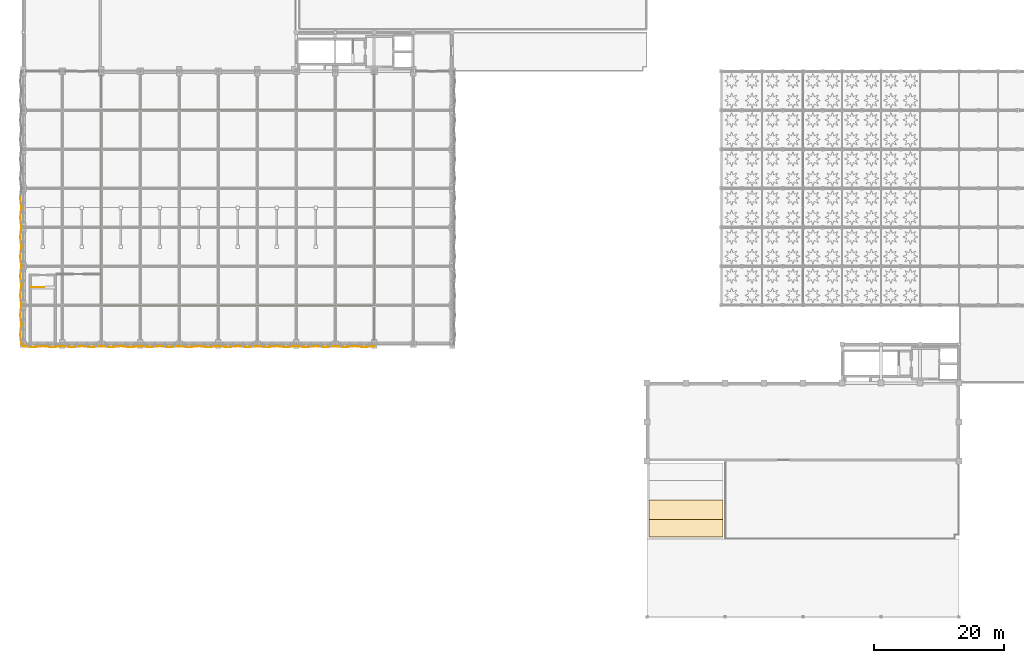
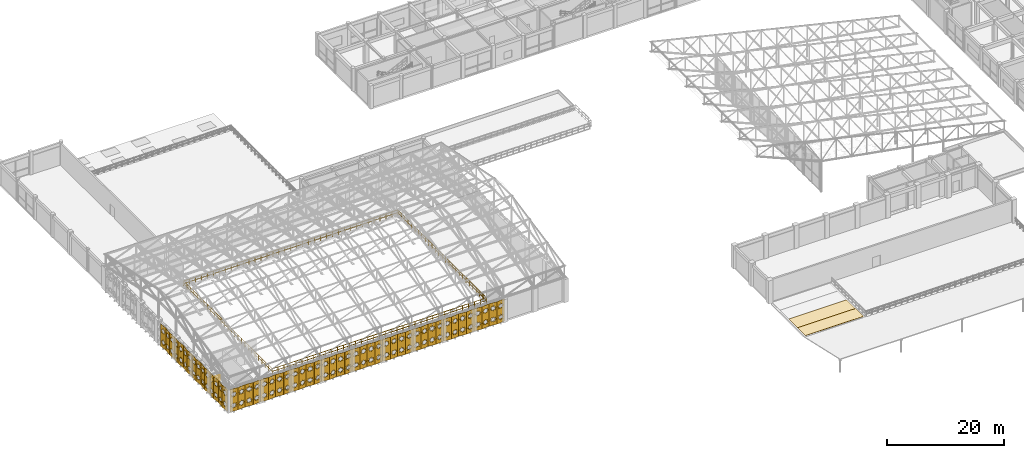
# One storey, part 106 of 112: 53 coverings, 2 railings.
"""IFC4 building model written with IfcOpenShell, lengths in metres."""

import ifcopenshell
import ifcopenshell.guid

model = None  # the IFC model being written
_history = None  # IfcOwnerHistory: only IFC2X3 demands one
_inside = {}  # id of a spatial element -> (the spatial element, [elements in it])
_under = {}  # id of a project, library or spatial element -> (it, [spatial elements below it])
_declared = {}  # id of a project -> (the project, [libraries it declares])
_typed = {}  # id of a type object -> (the type object, [elements of that type])
_made_of = {}  # id of a material, layer set ... -> (it, [elements and type objects made of it])


def new_model(schema):
    """Start an empty IFC model of exactly this schema.

    Asked for "IFC4X3", IfcOpenShell would pick the latest addendum, in which some entities
    have other attributes; the version numbers below select the first issue.
    IFC2X3 requires an IfcOwnerHistory on every rooted entity: one is made here for all.
    """
    global model, _history
    if schema == "IFC4X3":
        model = ifcopenshell.file(schema_version=(4, 3, 0, 0))
    else:
        model = ifcopenshell.file(schema=schema)
    _inside.clear()
    _under.clear()
    _declared.clear()
    _typed.clear()
    _made_of.clear()
    _history = None
    if model.schema == "IFC2X3":
        org = make("IfcOrganization", Name="unknown")
        user = make(
            "IfcPersonAndOrganization",
            ThePerson=make("IfcPerson", FamilyName="unknown"),
            TheOrganization=org,
        )
        app = make(
            "IfcApplication",
            ApplicationDeveloper=org,
            Version="unknown",
            ApplicationFullName="unknown",
            ApplicationIdentifier="unknown",
        )
        _history = make(
            "IfcOwnerHistory",
            OwningUser=user,
            OwningApplication=app,
            ChangeAction="ADDED",
            CreationDate=0,
        )
    return model


def make(cls, **values):
    """One entity of the class cls with the attributes given. An attribute that is None is left unset."""
    return model.create_entity(
        cls, **{name: value for name, value in values.items() if value is not None}
    )


def rooted(cls, **values):
    """An entity with a GlobalId (a new one), such as an element, a storey or a relation."""
    return make(cls, GlobalId=ifcopenshell.guid.new(), OwnerHistory=_history, **values)


def si_unit(unit_type, name, prefix=None):
    """IfcSIUnit, for example si_unit("LENGTHUNIT", "METRE", prefix="MILLI")."""
    return make("IfcSIUnit", UnitType=unit_type, Prefix=prefix, Name=name)


def assignment(units):
    """IfcUnitAssignment: the units of a project."""
    return None if units is None else make("IfcUnitAssignment", Units=units)


def point(xyz):
    """IfcCartesianPoint."""
    return None if xyz is None else make("IfcCartesianPoint", Coordinates=xyz)


def direction(xyz):
    """IfcDirection."""
    return None if xyz is None else make("IfcDirection", DirectionRatios=xyz)


def frame(location, z_axis=None, x_axis=None):
    """IfcAxis2Placement3D, a coordinate frame: its origin and axes. An axis left out is left unset."""
    return make(
        "IfcAxis2Placement3D",
        Location=point(location),
        Axis=direction(z_axis),
        RefDirection=direction(x_axis),
    )


def frame_2d(location, x_axis=None):
    """IfcAxis2Placement2D, a coordinate frame in the plane: its origin and x axis."""
    return make(
        "IfcAxis2Placement2D", Location=point(location), RefDirection=direction(x_axis)
    )


def origin():
    """The frame at (0, 0, 0) with its axes left unset."""
    return frame((0.0, 0.0, 0.0))


def origin_2d():
    """The frame at (0, 0) in the plane with its x axis left unset."""
    return frame_2d((0.0, 0.0))


def place(relative_to, where):
    """IfcLocalPlacement: puts the frame where relative to a parent placement (None: the world)."""
    return make(
        "IfcLocalPlacement", PlacementRelTo=relative_to, RelativePlacement=where
    )


def context(
    kind, dimensions, precision=None, world=None, true_north=None, identifier=None
):
    """IfcGeometricRepresentationContext, for example the 3D "Model" context."""
    return make(
        "IfcGeometricRepresentationContext",
        ContextIdentifier=identifier,
        ContextType=kind,
        CoordinateSpaceDimension=dimensions,
        Precision=precision,
        WorldCoordinateSystem=world,
        TrueNorth=true_north,
    )


def subcontext(parent, identifier, kind, view, scale=None):
    """IfcGeometricRepresentationSubContext, for example "Body" below "Model"."""
    return make(
        "IfcGeometricRepresentationSubContext",
        ContextIdentifier=identifier,
        ContextType=kind,
        ParentContext=parent,
        TargetScale=scale,
        TargetView=view,
    )


def project(units=None, contexts=None):
    """IfcProject with its units and contexts."""
    return rooted(
        "IfcProject",
        Name="project",
        RepresentationContexts=contexts,
        UnitsInContext=assignment(units),
    )


def spatial(cls, under=None, at=None, **own):
    """A site, building, storey or space (cls), placed at a placement, below another one or the project."""
    s = rooted(cls, ObjectPlacement=at, **own)
    if under is not None:
        _under.setdefault(under.id(), (under, []))[1].append(s)
    return s


def polyline(points):
    """IfcPolyline through the points."""
    return make("IfcPolyline", Points=[point(p) for p in points])


def profile(cls, at=None, kind="AREA", **sizes):
    """A parametric profile (cls). Its sizes go by their IFC names, for example OverallWidth=200.0."""
    return make(cls, ProfileType=kind, Position=at, **sizes)


def circle(**sizes):
    """IfcCircleProfileDef."""
    return profile("IfcCircleProfileDef", **sizes)


def outline(outer, holes=None, kind="AREA"):
    """IfcArbitraryClosedProfileDef: a profile drawn as a closed curve; with holes, ...WithVoids."""
    if holes is None:
        return make("IfcArbitraryClosedProfileDef", ProfileType=kind, OuterCurve=outer)
    return make(
        "IfcArbitraryProfileDefWithVoids",
        ProfileType=kind,
        OuterCurve=outer,
        InnerCurves=holes,
    )


def extrude(swept, where, along, depth):
    """IfcExtrudedAreaSolid: the profile swept, set in the frame where, extruded along a direction by depth."""
    return make(
        "IfcExtrudedAreaSolid",
        SweptArea=swept,
        Position=where,
        ExtrudedDirection=direction(along),
        Depth=depth,
    )


def shape(context_of_items, identifier, shape_type, items):
    """IfcShapeRepresentation: the items that make up one representation, for example the "Body"."""
    return make(
        "IfcShapeRepresentation",
        ContextOfItems=context_of_items,
        RepresentationIdentifier=identifier,
        RepresentationType=shape_type,
        Items=items,
    )


def material(Name=None, Category=None):
    """IfcMaterial."""
    return make("IfcMaterial", Name=Name, Category=Category)


def layer(
    of_material, thickness, ventilated=None, Name=None, Category=None, Priority=None
):
    """IfcMaterialLayer: one layer of a wall or slab, of a material (None: an air gap)."""
    return make(
        "IfcMaterialLayer",
        Material=of_material,
        LayerThickness=thickness,
        IsVentilated=ventilated,
        Name=Name,
        Category=Category,
        Priority=Priority,
    )


def layer_set(layers, Name=None):
    """IfcMaterialLayerSet."""
    return make("IfcMaterialLayerSet", MaterialLayers=layers, LayerSetName=Name)


def made_of(thing, what):
    """Note that an element or type object is made of a material, layer set ...; save() writes the relation."""
    if what is not None:
        _made_of.setdefault(what.id(), (what, []))[1].append(thing)
    return thing


def type_object(cls, material=None, **own):
    """A type object (cls), such as IfcWallType, which elements share."""
    return made_of(rooted(cls, **own), material)


def element(
    cls,
    number,
    at=None,
    inside=None,
    cuts=None,
    type_object=None,
    material=None,
    context=None,
    identifier="Body",
    shape_type=None,
    held_by="IfcProductDefinitionShape",
    body=None,
    shapes=None,
    **own,
):
    """One element of the class cls, such as IfcWall. Its Tag is "e" and its number.

    at: its placement. inside: the storey or other place that contains it. cuts: it is an
    opening in that element (IfcRelVoidsElement). A single representation is given by context,
    identifier, shape_type and body (its items); several are given by shapes. held_by: the class
    of the entity that holds the representations. save() writes the other relations.
    """
    e = rooted(cls, Tag="e%d" % number, ObjectPlacement=at, **own)
    if body is not None:
        shapes = [shape(context, identifier, shape_type, body)]
    if shapes is not None:
        e.Representation = make(held_by, Representations=shapes)
    if inside is not None:
        _inside.setdefault(inside.id(), (inside, []))[1].append(e)
    if cuts is not None:
        rooted(
            "IfcRelVoidsElement", RelatingBuildingElement=cuts, RelatedOpeningElement=e
        )
    if type_object is not None:
        _typed.setdefault(type_object.id(), (type_object, []))[1].append(e)
    return made_of(e, material)


def aggregate(whole, parts):
    """IfcRelAggregates: a whole, such as a stair, and the parts it consists of."""
    return rooted("IfcRelAggregates", RelatingObject=whole, RelatedObjects=parts)


def save(model, path):
    """Write the relations noted so far, then the file.

    IfcRelAggregates (storeys below a building ...), IfcRelContainedInSpatialStructure (elements
    in a storey), IfcRelDefinesByType, IfcRelAssociatesMaterial and IfcRelDeclares: one each for
    every whole, place, type object, material and project.
    """
    for whole, parts in _under.values():
        aggregate(whole, parts)
    for where, things in _inside.values():
        rooted(
            "IfcRelContainedInSpatialStructure",
            RelatedElements=things,
            RelatingStructure=where,
        )
    for kind, things in _typed.values():
        rooted("IfcRelDefinesByType", RelatedObjects=things, RelatingType=kind)
    for what, things in _made_of.values():
        rooted("IfcRelAssociatesMaterial", RelatedObjects=things, RelatingMaterial=what)
    for by, libraries in _declared.values():
        rooted("IfcRelDeclares", RelatingContext=by, RelatedDefinitions=libraries)
    model.write(path)


model = new_model("IFC4")

# Units and contexts
model_context = context("Model", 3, precision=1e-05, world=origin(), true_north=direction((0.0, 1.0)))
body_context = subcontext(model_context, "Body", "Model", "MODEL_VIEW")
ifc_project = project(units=[si_unit("LENGTHUNIT", "METRE"), si_unit("AREAUNIT", "SQUARE_METRE"), si_unit("VOLUMEUNIT", "CUBIC_METRE"), si_unit("PLANEANGLEUNIT", "RADIAN"), si_unit("MASSUNIT", "GRAM", prefix="KILO"), si_unit("THERMODYNAMICTEMPERATUREUNIT", "KELVIN"), si_unit("POWERUNIT", "WATT")], contexts=[model_context])

# Site, building, storey
site_placement = place(None, origin())
site = spatial("IfcSite", under=ifc_project, at=site_placement, CompositionType="ELEMENT")
building_placement = place(site_placement, origin())
building = spatial("IfcBuilding", under=site, at=building_placement, Name="Phaisarnlok Congress Hotel", CompositionType="ELEMENT")
storey_placement = place(building_placement, frame((0.0, 0.0, 19.800048828125)))
storey = spatial("IfcBuildingStorey", under=building, at=storey_placement, Name="L04", CompositionType="ELEMENT", Elevation=19.800048828125)

# Coverings
ifc_material_1 = material(Name="TPO Waterproofing Membrane & Rigid PIR Insulation", Category="other")
ifc_layer_1 = layer(ifc_material_1, 0.050048828125, Name="TPO Waterproofing Membrane & Rigid PIR Insulation")
ifc_layer_set_1 = layer_set([ifc_layer_1], Name="TPO Waterproofing Membrane & Rigid PIR Insulation")
covering_type_1 = type_object("IfcCoveringType", Name="COV-ROOF-MEMB", PredefinedType="ROOFING", material=ifc_layer_set_1)
covering_1_placement = place(storey_placement, origin())
element("IfcCovering", 1, at=covering_1_placement, inside=storey, type_object=covering_type_1, Name="Ballroom west roof waterproofing membrane RF-01", PredefinedType="ROOFING", context=body_context, shape_type="SweptSolid", body=[
    extrude(outline(polyline([(96.300048828125, 12.300048828125), (107.699951171875, 12.300048828125), (107.699951171875, 15.0), (96.300048828125, 15.0), (96.300048828125, 12.300048828125)])), origin(), (0.0, 0.0, 1.0), 0.050048828125),
])
covering_2_placement = place(storey_placement, origin())
element("IfcCovering", 2, at=covering_2_placement, inside=storey, type_object=covering_type_1, Name="Ballroom west roof waterproofing membrane RF-01", PredefinedType="ROOFING", context=body_context, shape_type="SweptSolid", body=[
    extrude(outline(polyline([(96.300048828125, 15.0), (107.699951171875, 15.0), (107.699951171875, 18.0), (96.300048828125, 18.0), (96.300048828125, 15.0)])), origin(), (0.0, 0.0, 1.0), 0.050048828125),
])
ifc_material_2 = material(Name="PVDF White Perforated Aluminium Alloy 5052", Category="aluminium")
ifc_layer_2 = layer(ifc_material_2, 0.0400390625, Name="PVDF White Perforated Aluminium Alloy 5052")
ifc_layer_set_2 = layer_set([ifc_layer_2], Name="PVDF White Perforated Aluminium Alloy 5052")
covering_type_2 = type_object("IfcCoveringType", Name="COV-STAR-FOLD", PredefinedType="CLADDING", material=ifc_layer_set_2)
for number, where, z_axis, x_axis, name in (
    (3, (-0.300048828125, 42.0, 0.06005859375), (0.994517863207, 0.104566819602, 0.0), (-0.104566819602, 0.994517863207, 0.0), "Folded star-perforated hall screen SS-02 (V1W L04)"),
    (4, (-0.457763671875, 43.5, 0.06005859375), (0.994517863207, -0.104566819602, 0.0), (0.104566819602, 0.994517863207, 0.0), "Folded star-perforated hall screen SS-02 (V1W L04)"),
    (5, (-0.300048828125, 45.0, 0.06005859375), (0.994517863207, 0.104566819602, 0.0), (-0.104566819602, 0.994517863207, 0.0), "Folded star-perforated hall screen SS-02 (V1W L04)"),
    (6, (-0.457763671875, 46.5, 0.06005859375), (0.994517863207, -0.104566819602, 0.0), (0.104566819602, 0.994517863207, 0.0), "Folded star-perforated hall screen SS-02 (V1W L04)"),
    (7, (-0.300048828125, 48.0, 0.06005859375), (0.994517863207, 0.104566819602, 0.0), (-0.104566819602, 0.994517863207, 0.0), "Folded star-perforated hall screen SS-02 (V1W L04)"),
    (8, (-0.457763671875, 49.5, 0.06005859375), (0.994517863207, -0.104566819602, 0.0), (0.104566819602, 0.994517863207, 0.0), "Folded star-perforated hall screen SS-02 (V1W L04)"),
    (9, (-0.300048828125, 51.0, 0.06005859375), (0.994517863207, 0.104566819602, 0.0), (-0.104566819602, 0.994517863207, 0.0), "Folded star-perforated hall screen SS-02 (V1W L04)"),
    (10, (-0.457763671875, 52.5, 0.06005859375), (0.994517863207, -0.104566819602, 0.0), (0.104566819602, 0.994517863207, 0.0), "Folded star-perforated hall screen SS-02 (V1W L04)"),
    (11, (-0.300048828125, 54.0, 0.06005859375), (0.994517863207, 0.104566819602, 0.0), (-0.104566819602, 0.994517863207, 0.0), "Folded star-perforated hall screen SS-02 (V1W L04)"),
    (12, (-0.457763671875, 55.5, 0.06005859375), (0.994517863207, -0.104566819602, 0.0), (0.104566819602, 0.994517863207, 0.0), "Folded star-perforated hall screen SS-02 (V1W L04)"),
    (13, (-0.300048828125, 57.0, 0.06005859375), (0.994517863207, 0.104566819602, 0.0), (-0.104566819602, 0.994517863207, 0.0), "Folded star-perforated hall screen SS-02 (V1W L04)"),
    (14, (-0.457763671875, 58.5, 0.06005859375), (0.994517863207, -0.104566819602, 0.0), (0.104566819602, 0.994517863207, 0.0), "Folded star-perforated hall screen SS-02 (V1W L04)"),
    (15, (-0.300048828125, 60.0, 0.06005859375), (0.994517863207, 0.104566819602, 0.0), (-0.104566819602, 0.994517863207, 0.0), "Folded star-perforated hall screen SS-02 (V1W L04)"),
    (16, (-0.457763671875, 61.5, 0.06005859375), (0.994517863207, -0.104566819602, 0.0), (0.104566819602, 0.994517863207, 0.0), "Folded star-perforated hall screen SS-02 (V1W L04)"),
    (17, (-0.300048828125, 63.0, 0.06005859375), (0.994517863207, 0.104566819602, 0.0), (-0.104566819602, 0.994517863207, 0.0), "Folded star-perforated hall screen SS-02 (V1W L04)"),
    (18, (0.0, 41.699951171875, 0.06005859375), (-0.104566819602, -0.994517863207, 0.0), (0.994517863207, -0.104566819602, 0.0), "Folded star-perforated hall screen SS-02 (V1S L04)"),
    (19, (1.5, 41.542236328125, 0.06005859375), (0.104566819602, -0.994517863207, 0.0), (0.994517863207, 0.104566819602, 0.0), "Folded star-perforated hall screen SS-02 (V1S L04)"),
    (20, (3.0, 41.699951171875, 0.06005859375), (-0.104566819602, -0.994517863207, 0.0), (0.994517863207, -0.104566819602, 0.0), "Folded star-perforated hall screen SS-02 (V1S L04)"),
    (21, (4.5, 41.542236328125, 0.06005859375), (0.104566819602, -0.994517863207, 0.0), (0.994517863207, 0.104566819602, 0.0), "Folded star-perforated hall screen SS-02 (V1S L04)"),
    (22, (6.0, 41.699951171875, 0.06005859375), (-0.104566819602, -0.994517863207, 0.0), (0.994517863207, -0.104566819602, 0.0), "Folded star-perforated hall screen SS-02 (V1S L04)"),
    (23, (7.5, 41.542236328125, 0.06005859375), (0.104566819602, -0.994517863207, 0.0), (0.994517863207, 0.104566819602, 0.0), "Folded star-perforated hall screen SS-02 (V1S L04)"),
    (24, (9.0, 41.699951171875, 0.06005859375), (-0.104566819602, -0.994517863207, 0.0), (0.994517863207, -0.104566819602, 0.0), "Folded star-perforated hall screen SS-02 (V1S L04)"),
    (25, (10.5, 41.542236328125, 0.06005859375), (0.104566819602, -0.994517863207, 0.0), (0.994517863207, 0.104566819602, 0.0), "Folded star-perforated hall screen SS-02 (V1S L04)"),
    (26, (12.0, 41.699951171875, 0.06005859375), (-0.104566819602, -0.994517863207, 0.0), (0.994517863207, -0.104566819602, 0.0), "Folded star-perforated hall screen SS-02 (V1S L04)"),
    (27, (13.5, 41.542236328125, 0.06005859375), (0.104566819602, -0.994517863207, 0.0), (0.994517863207, 0.104566819602, 0.0), "Folded star-perforated hall screen SS-02 (V1S L04)"),
    (28, (15.0, 41.699951171875, 0.06005859375), (-0.104566819602, -0.994517863207, 0.0), (0.994517863207, -0.104566819602, 0.0), "Folded star-perforated hall screen SS-02 (V1S L04)"),
    (29, (16.5, 41.542236328125, 0.06005859375), (0.104566819602, -0.994517863207, 0.0), (0.994517863207, 0.104566819602, 0.0), "Folded star-perforated hall screen SS-02 (V1S L04)"),
    (30, (18.0, 41.699951171875, 0.06005859375), (-0.104566819602, -0.994517863207, 0.0), (0.994517863207, -0.104566819602, 0.0), "Folded star-perforated hall screen SS-02 (V1S L04)"),
    (31, (19.5, 41.542236328125, 0.06005859375), (0.104566819602, -0.994517863207, 0.0), (0.994517863207, 0.104566819602, 0.0), "Folded star-perforated hall screen SS-02 (V1S L04)"),
    (32, (21.0, 41.699951171875, 0.06005859375), (-0.104566819602, -0.994517863207, 0.0), (0.994517863207, -0.104566819602, 0.0), "Folded star-perforated hall screen SS-02 (V1S L04)"),
    (33, (22.5, 41.542236328125, 0.06005859375), (0.104566819602, -0.994517863207, 0.0), (0.994517863207, 0.104566819602, 0.0), "Folded star-perforated hall screen SS-02 (V1S L04)"),
    (34, (24.0, 41.699951171875, 0.06005859375), (-0.104566819602, -0.994517863207, 0.0), (0.994517863207, -0.104566819602, 0.0), "Folded star-perforated hall screen SS-02 (V1S L04)"),
    (35, (25.5, 41.542236328125, 0.06005859375), (0.104566819602, -0.994517863207, 0.0), (0.994517863207, 0.104566819602, 0.0), "Folded star-perforated hall screen SS-02 (V1S L04)"),
    (36, (27.0, 41.699951171875, 0.06005859375), (-0.104566819602, -0.994517863207, 0.0), (0.994517863207, -0.104566819602, 0.0), "Folded star-perforated hall screen SS-02 (V1S L04)"),
    (37, (28.5, 41.542236328125, 0.06005859375), (0.104566819602, -0.994517863207, 0.0), (0.994517863207, 0.104566819602, 0.0), "Folded star-perforated hall screen SS-02 (V1S L04)"),
    (38, (30.0, 41.699951171875, 0.06005859375), (-0.104566819602, -0.994517863207, 0.0), (0.994517863207, -0.104566819602, 0.0), "Folded star-perforated hall screen SS-02 (V1S L04)"),
    (39, (31.5, 41.542236328125, 0.06005859375), (0.104566819602, -0.994517863207, 0.0), (0.994517863207, 0.104566819602, 0.0), "Folded star-perforated hall screen SS-02 (V1S L04)"),
    (40, (33.0, 41.699951171875, 0.06005859375), (-0.104566819602, -0.994517863207, 0.0), (0.994517863207, -0.104566819602, 0.0), "Folded star-perforated hall screen SS-02 (V1S L04)"),
    (41, (34.5, 41.542236328125, 0.06005859375), (0.104566819602, -0.994517863207, 0.0), (0.994517863207, 0.104566819602, 0.0), "Folded star-perforated hall screen SS-02 (V1S L04)"),
    (42, (36.0, 41.699951171875, 0.06005859375), (-0.104566819602, -0.994517863207, 0.0), (0.994517863207, -0.104566819602, 0.0), "Folded star-perforated hall screen SS-02 (V1S L04)"),
    (43, (37.5, 41.542236328125, 0.06005859375), (0.104566819602, -0.994517863207, 0.0), (0.994517863207, 0.104566819602, 0.0), "Folded star-perforated hall screen SS-02 (V1S L04)"),
    (44, (39.0, 41.699951171875, 0.06005859375), (-0.104566819602, -0.994517863207, 0.0), (0.994517863207, -0.104566819602, 0.0), "Folded star-perforated hall screen SS-02 (V1S L04)"),
    (45, (40.5, 41.542236328125, 0.06005859375), (0.104566819602, -0.994517863207, 0.0), (0.994517863207, 0.104566819602, 0.0), "Folded star-perforated hall screen SS-02 (V1S L04)"),
    (46, (42.0, 41.699951171875, 0.06005859375), (-0.104566819602, -0.994517863207, 0.0), (0.994517863207, -0.104566819602, 0.0), "Folded star-perforated hall screen SS-02 (V1S L04)"),
    (47, (43.5, 41.542236328125, 0.06005859375), (0.104566819602, -0.994517863207, 0.0), (0.994517863207, 0.104566819602, 0.0), "Folded star-perforated hall screen SS-02 (V1S L04)"),
    (48, (45.0, 41.699951171875, 0.06005859375), (-0.104566819602, -0.994517863207, 0.0), (0.994517863207, -0.104566819602, 0.0), "Folded star-perforated hall screen SS-02 (V1S L04)"),
    (49, (46.5, 41.542236328125, 0.06005859375), (0.104566819602, -0.994517863207, 0.0), (0.994517863207, 0.104566819602, 0.0), "Folded star-perforated hall screen SS-02 (V1S L04)"),
    (50, (48.0, 41.699951171875, 0.06005859375), (-0.104566819602, -0.994517863207, 0.0), (0.994517863207, -0.104566819602, 0.0), "Folded star-perforated hall screen SS-02 (V1S L04)"),
    (51, (49.5, 41.542236328125, 0.06005859375), (0.104566819602, -0.994517863207, 0.0), (0.994517863207, 0.104566819602, 0.0), "Folded star-perforated hall screen SS-02 (V1S L04)"),
    (52, (51.0, 41.699951171875, 0.06005859375), (-0.104566819602, -0.994517863207, 0.0), (0.994517863207, -0.104566819602, 0.0), "Folded star-perforated hall screen SS-02 (V1S L04)"),
    (53, (52.5, 41.542236328125, 0.06005859375), (0.104566819602, -0.994517863207, 0.0), (0.994517863207, 0.104566819602, 0.0), "Folded star-perforated hall screen SS-02 (V1S L04)"),
):
    element("IfcCovering", number, at=place(storey_placement, frame(where, z_axis=z_axis, x_axis=x_axis)), inside=storey, type_object=covering_type_2, Name=name, PredefinedType="CLADDING", context=body_context, shape_type="SweptSolid", body=[
        extrude(outline(polyline([(0.0, 0.0), (1.5082685344258453, 0.0), (1.5082685344258453, 4.659912109375), (0.0, 4.659912109375), (0.0, 0.0)]), holes=[polyline([(1.0351, 1.0486), (1.2021, 0.7171), (0.8705, 0.8841), (0.7541, 0.5315), (0.6378, 0.8841), (0.3062, 0.7171), (0.4732, 1.0486), (0.1207, 1.165), (0.4732, 1.2814), (0.3062, 1.6129), (0.6378, 1.4459), (0.7541, 1.7985), (0.8705, 1.4459), (1.2021, 1.6129), (1.0351, 1.2814), (1.3876, 1.165), (1.0351, 1.0486)]), polyline([(1.0351, 3.3786), (1.2021, 3.0471), (0.8705, 3.2141), (0.7541, 2.8615), (0.6378, 3.2141), (0.3062, 3.0471), (0.4732, 3.3786), (0.1207, 3.495), (0.4732, 3.6114), (0.3062, 3.9429), (0.6378, 3.7759), (0.7541, 4.1285), (0.8705, 3.7759), (1.2021, 3.9429), (1.0351, 3.6114), (1.3876, 3.495), (1.0351, 3.3786)])]), origin(), (0.0, 0.0, 1.0), 0.0400390625),
    ])

# Railings
ifc_material_3 = material(Name="Laminated Glass & Stainless Steel Grade 316", Category="steel")
railing_type_1 = type_object("IfcRailingType", Name="RLG-INT-1100", PredefinedType="BALUSTRADE", material=ifc_material_3)
railing_1_placement = place(storey_placement, frame((54.080078125, 47.919921875, 0.0)))
element("IfcRailing", 54, at=railing_1_placement, inside=storey, type_object=railing_type_1, Name="Atrium gallery guard balustrade GD-02 (L04 v1_lobby)", PredefinedType="BALUSTRADE", context=body_context, shape_type="SweptSolid", body=[
    extrude(circle(Radius=0.02392578125, at=origin_2d()), frame((0.0, 0.0, 1.076171875), z_axis=(0.0, 1.0, 0.0), x_axis=(-1.0, 0.0, 0.0)), (0.0, 0.0, 1.0), 30.16015625),
    extrude(circle(Radius=0.02392578125, at=origin_2d()), frame((0.0, 0.0, 0.52587890625), z_axis=(0.0, 1.0, 0.0), x_axis=(-1.0, 0.0, 0.0)), (0.0, 0.0, 1.0), 30.16015625),
    extrude(circle(Radius=0.02392578125, at=origin_2d()), frame((0.0, 30.16015625, 1.076171875), z_axis=(-1.0, 0.0, 0.0), x_axis=(0.0, -1.0, 0.0)), (0.0, 0.0, 1.0), 42.16015625),
    extrude(circle(Radius=0.02392578125, at=origin_2d()), frame((0.0, 30.16015625, 0.52587890625), z_axis=(-1.0, 0.0, 0.0), x_axis=(0.0, -1.0, 0.0)), (0.0, 0.0, 1.0), 42.16015625),
    extrude(circle(Radius=0.02392578125, at=origin_2d()), frame((-42.16015625, 30.16015625, 1.076171875), z_axis=(0.0, -1.0, 0.0), x_axis=(1.0, 0.0, 0.0)), (0.0, 0.0, 1.0), 30.16015625),
    extrude(circle(Radius=0.02392578125, at=origin_2d()), frame((-42.16015625, 30.16015625, 0.52587890625), z_axis=(0.0, -1.0, 0.0), x_axis=(1.0, 0.0, 0.0)), (0.0, 0.0, 1.0), 30.16015625),
    extrude(circle(Radius=0.02392578125, at=origin_2d()), frame((-42.16015625, 0.0, 1.076171875), z_axis=(1.0, 0.0, 0.0), x_axis=(0.0, 1.0, 0.0)), (0.0, 0.0, 1.0), 42.16015625),
    extrude(circle(Radius=0.02392578125, at=origin_2d()), frame((-42.16015625, 0.0, 0.52587890625), z_axis=(1.0, 0.0, 0.0), x_axis=(0.0, 1.0, 0.0)), (0.0, 0.0, 1.0), 42.16015625),
    extrude(circle(Radius=0.02099609375, at=origin_2d()), origin(), (0.0, 0.0, 1.0), 1.052001953125),
    extrude(circle(Radius=0.02099609375, at=origin_2d()), frame((0.0, 1.159912109375, 0.0)), (0.0, 0.0, 1.0), 1.052001953125),
    extrude(circle(Radius=0.02099609375, at=origin_2d()), frame((0.0, 2.320068359375, 0.0)), (0.0, 0.0, 1.0), 1.052001953125),
    extrude(circle(Radius=0.02099609375, at=origin_2d()), frame((0.0, 3.47998046875, 0.0)), (0.0, 0.0, 1.0), 1.052001953125),
    extrude(circle(Radius=0.02099609375, at=origin_2d()), frame((0.0, 4.64013671875, 0.0)), (0.0, 0.0, 1.0), 1.052001953125),
    extrude(circle(Radius=0.02099609375, at=origin_2d()), frame((0.0, 5.800048828125, 0.0)), (0.0, 0.0, 1.0), 1.052001953125),
    extrude(circle(Radius=0.02099609375, at=origin_2d()), frame((0.0, 6.9599609375, 0.0)), (0.0, 0.0, 1.0), 1.052001953125),
    extrude(circle(Radius=0.02099609375, at=origin_2d()), frame((0.0, 8.1201171875, 0.0)), (0.0, 0.0, 1.0), 1.052001953125),
    extrude(circle(Radius=0.02099609375, at=origin_2d()), frame((0.0, 9.280029296875, 0.0)), (0.0, 0.0, 1.0), 1.052001953125),
    extrude(circle(Radius=0.02099609375, at=origin_2d()), frame((0.0, 10.43994140625, 0.0)), (0.0, 0.0, 1.0), 1.052001953125),
    extrude(circle(Radius=0.02099609375, at=origin_2d()), frame((0.0, 11.60009765625, 0.0)), (0.0, 0.0, 1.0), 1.052001953125),
    extrude(circle(Radius=0.02099609375, at=origin_2d()), frame((0.0, 12.760009765625, 0.0)), (0.0, 0.0, 1.0), 1.052001953125),
    extrude(circle(Radius=0.02099609375, at=origin_2d()), frame((0.0, 13.920166015625, 0.0)), (0.0, 0.0, 1.0), 1.052001953125),
    extrude(circle(Radius=0.02099609375, at=origin_2d()), frame((0.0, 15.080078125, 0.0)), (0.0, 0.0, 1.0), 1.052001953125),
    extrude(circle(Radius=0.02099609375, at=origin_2d()), frame((0.0, 16.239990234375, 0.0)), (0.0, 0.0, 1.0), 1.052001953125),
    extrude(circle(Radius=0.02099609375, at=origin_2d()), frame((0.0, 17.400146484375, 0.0)), (0.0, 0.0, 1.0), 1.052001953125),
    extrude(circle(Radius=0.02099609375, at=origin_2d()), frame((0.0, 18.56005859375, 0.0)), (0.0, 0.0, 1.0), 1.052001953125),
    extrude(circle(Radius=0.02099609375, at=origin_2d()), frame((0.0, 19.72021484375, 0.0)), (0.0, 0.0, 1.0), 1.052001953125),
    extrude(circle(Radius=0.02099609375, at=origin_2d()), frame((0.0, 20.880126953125, 0.0)), (0.0, 0.0, 1.0), 1.052001953125),
    extrude(circle(Radius=0.02099609375, at=origin_2d()), frame((0.0, 22.0400390625, 0.0)), (0.0, 0.0, 1.0), 1.052001953125),
    extrude(circle(Radius=0.02099609375, at=origin_2d()), frame((0.0, 23.2001953125, 0.0)), (0.0, 0.0, 1.0), 1.052001953125),
    extrude(circle(Radius=0.02099609375, at=origin_2d()), frame((0.0, 24.360107421875, 0.0)), (0.0, 0.0, 1.0), 1.052001953125),
    extrude(circle(Radius=0.02099609375, at=origin_2d()), frame((0.0, 25.52001953125, 0.0)), (0.0, 0.0, 1.0), 1.052001953125),
    extrude(circle(Radius=0.02099609375, at=origin_2d()), frame((0.0, 26.68017578125, 0.0)), (0.0, 0.0, 1.0), 1.052001953125),
    extrude(circle(Radius=0.02099609375, at=origin_2d()), frame((0.0, 27.840087890625, 0.0)), (0.0, 0.0, 1.0), 1.052001953125),
    extrude(circle(Radius=0.02099609375, at=origin_2d()), frame((0.0, 29.000244140625, 0.0)), (0.0, 0.0, 1.0), 1.052001953125),
    extrude(circle(Radius=0.02099609375, at=origin_2d()), frame((0.0, 30.16015625, 0.0)), (0.0, 0.0, 1.0), 1.052001953125),
    extrude(circle(Radius=0.02099609375, at=origin_2d()), frame((-1.171142578125, 30.16015625, 0.0)), (0.0, 0.0, 1.0), 1.052001953125),
    extrude(circle(Radius=0.02099609375, at=origin_2d()), frame((-2.34228515625, 30.16015625, 0.0)), (0.0, 0.0, 1.0), 1.052001953125),
    extrude(circle(Radius=0.02099609375, at=origin_2d()), frame((-3.513427734375, 30.16015625, 0.0)), (0.0, 0.0, 1.0), 1.052001953125),
    extrude(circle(Radius=0.02099609375, at=origin_2d()), frame((-4.6845703125, 30.16015625, 0.0)), (0.0, 0.0, 1.0), 1.052001953125),
    extrude(circle(Radius=0.02099609375, at=origin_2d()), frame((-5.85546875, 30.16015625, 0.0)), (0.0, 0.0, 1.0), 1.052001953125),
    extrude(circle(Radius=0.02099609375, at=origin_2d()), frame((-7.026611328125, 30.16015625, 0.0)), (0.0, 0.0, 1.0), 1.052001953125),
    extrude(circle(Radius=0.02099609375, at=origin_2d()), frame((-8.19775390625, 30.16015625, 0.0)), (0.0, 0.0, 1.0), 1.052001953125),
    extrude(circle(Radius=0.02099609375, at=origin_2d()), frame((-9.368896484375, 30.16015625, 0.0)), (0.0, 0.0, 1.0), 1.052001953125),
    extrude(circle(Radius=0.02099609375, at=origin_2d()), frame((-10.5400390625, 30.16015625, 0.0)), (0.0, 0.0, 1.0), 1.052001953125),
    extrude(circle(Radius=0.02099609375, at=origin_2d()), frame((-11.711181640625, 30.16015625, 0.0)), (0.0, 0.0, 1.0), 1.052001953125),
    extrude(circle(Radius=0.02099609375, at=origin_2d()), frame((-12.88232421875, 30.16015625, 0.0)), (0.0, 0.0, 1.0), 1.052001953125),
    extrude(circle(Radius=0.02099609375, at=origin_2d()), frame((-14.053466796875, 30.16015625, 0.0)), (0.0, 0.0, 1.0), 1.052001953125),
    extrude(circle(Radius=0.02099609375, at=origin_2d()), frame((-15.224609375, 30.16015625, 0.0)), (0.0, 0.0, 1.0), 1.052001953125),
    extrude(circle(Radius=0.02099609375, at=origin_2d()), frame((-16.3955078125, 30.16015625, 0.0)), (0.0, 0.0, 1.0), 1.052001953125),
    extrude(circle(Radius=0.02099609375, at=origin_2d()), frame((-17.566650390625, 30.16015625, 0.0)), (0.0, 0.0, 1.0), 1.052001953125),
    extrude(circle(Radius=0.02099609375, at=origin_2d()), frame((-18.73779296875, 30.16015625, 0.0)), (0.0, 0.0, 1.0), 1.052001953125),
    extrude(circle(Radius=0.02099609375, at=origin_2d()), frame((-19.908935546875, 30.16015625, 0.0)), (0.0, 0.0, 1.0), 1.052001953125),
    extrude(circle(Radius=0.02099609375, at=origin_2d()), frame((-21.080078125, 30.16015625, 0.0)), (0.0, 0.0, 1.0), 1.052001953125),
    extrude(circle(Radius=0.02099609375, at=origin_2d()), frame((-22.251220703125, 30.16015625, 0.0)), (0.0, 0.0, 1.0), 1.052001953125),
    extrude(circle(Radius=0.02099609375, at=origin_2d()), frame((-23.42236328125, 30.16015625, 0.0)), (0.0, 0.0, 1.0), 1.052001953125),
    extrude(circle(Radius=0.02099609375, at=origin_2d()), frame((-24.593505859375, 30.16015625, 0.0)), (0.0, 0.0, 1.0), 1.052001953125),
    extrude(circle(Radius=0.02099609375, at=origin_2d()), frame((-25.7646484375, 30.16015625, 0.0)), (0.0, 0.0, 1.0), 1.052001953125),
    extrude(circle(Radius=0.02099609375, at=origin_2d()), frame((-26.935546875, 30.16015625, 0.0)), (0.0, 0.0, 1.0), 1.052001953125),
    extrude(circle(Radius=0.02099609375, at=origin_2d()), frame((-28.106689453125, 30.16015625, 0.0)), (0.0, 0.0, 1.0), 1.052001953125),
    extrude(circle(Radius=0.02099609375, at=origin_2d()), frame((-29.27783203125, 30.16015625, 0.0)), (0.0, 0.0, 1.0), 1.052001953125),
    extrude(circle(Radius=0.02099609375, at=origin_2d()), frame((-30.448974609375, 30.16015625, 0.0)), (0.0, 0.0, 1.0), 1.052001953125),
    extrude(circle(Radius=0.02099609375, at=origin_2d()), frame((-31.6201171875, 30.16015625, 0.0)), (0.0, 0.0, 1.0), 1.052001953125),
    extrude(circle(Radius=0.02099609375, at=origin_2d()), frame((-32.791259765625, 30.16015625, 0.0)), (0.0, 0.0, 1.0), 1.052001953125),
    extrude(circle(Radius=0.02099609375, at=origin_2d()), frame((-33.96240234375, 30.16015625, 0.0)), (0.0, 0.0, 1.0), 1.052001953125),
    extrude(circle(Radius=0.02099609375, at=origin_2d()), frame((-35.133544921875, 30.16015625, 0.0)), (0.0, 0.0, 1.0), 1.052001953125),
    extrude(circle(Radius=0.02099609375, at=origin_2d()), frame((-36.3046875, 30.16015625, 0.0)), (0.0, 0.0, 1.0), 1.052001953125),
    extrude(circle(Radius=0.02099609375, at=origin_2d()), frame((-37.4755859375, 30.16015625, 0.0)), (0.0, 0.0, 1.0), 1.052001953125),
    extrude(circle(Radius=0.02099609375, at=origin_2d()), frame((-38.646728515625, 30.16015625, 0.0)), (0.0, 0.0, 1.0), 1.052001953125),
    extrude(circle(Radius=0.02099609375, at=origin_2d()), frame((-39.81787109375, 30.16015625, 0.0)), (0.0, 0.0, 1.0), 1.052001953125),
    extrude(circle(Radius=0.02099609375, at=origin_2d()), frame((-40.989013671875, 30.16015625, 0.0)), (0.0, 0.0, 1.0), 1.052001953125),
    extrude(circle(Radius=0.02099609375, at=origin_2d()), frame((-42.16015625, 30.16015625, 0.0)), (0.0, 0.0, 1.0), 1.052001953125),
    extrude(circle(Radius=0.02099609375, at=origin_2d()), frame((-42.16015625, 29.000244140625, 0.0)), (0.0, 0.0, 1.0), 1.052001953125),
    extrude(circle(Radius=0.02099609375, at=origin_2d()), frame((-42.16015625, 27.840087890625, 0.0)), (0.0, 0.0, 1.0), 1.052001953125),
    extrude(circle(Radius=0.02099609375, at=origin_2d()), frame((-42.16015625, 26.68017578125, 0.0)), (0.0, 0.0, 1.0), 1.052001953125),
    extrude(circle(Radius=0.02099609375, at=origin_2d()), frame((-42.16015625, 25.52001953125, 0.0)), (0.0, 0.0, 1.0), 1.052001953125),
    extrude(circle(Radius=0.02099609375, at=origin_2d()), frame((-42.16015625, 24.360107421875, 0.0)), (0.0, 0.0, 1.0), 1.052001953125),
    extrude(circle(Radius=0.02099609375, at=origin_2d()), frame((-42.16015625, 23.2001953125, 0.0)), (0.0, 0.0, 1.0), 1.052001953125),
    extrude(circle(Radius=0.02099609375, at=origin_2d()), frame((-42.16015625, 22.0400390625, 0.0)), (0.0, 0.0, 1.0), 1.052001953125),
    extrude(circle(Radius=0.02099609375, at=origin_2d()), frame((-42.16015625, 20.880126953125, 0.0)), (0.0, 0.0, 1.0), 1.052001953125),
    extrude(circle(Radius=0.02099609375, at=origin_2d()), frame((-42.16015625, 19.72021484375, 0.0)), (0.0, 0.0, 1.0), 1.052001953125),
    extrude(circle(Radius=0.02099609375, at=origin_2d()), frame((-42.16015625, 18.56005859375, 0.0)), (0.0, 0.0, 1.0), 1.052001953125),
    extrude(circle(Radius=0.02099609375, at=origin_2d()), frame((-42.16015625, 17.400146484375, 0.0)), (0.0, 0.0, 1.0), 1.052001953125),
    extrude(circle(Radius=0.02099609375, at=origin_2d()), frame((-42.16015625, 16.239990234375, 0.0)), (0.0, 0.0, 1.0), 1.052001953125),
    extrude(circle(Radius=0.02099609375, at=origin_2d()), frame((-42.16015625, 15.080078125, 0.0)), (0.0, 0.0, 1.0), 1.052001953125),
    extrude(circle(Radius=0.02099609375, at=origin_2d()), frame((-42.16015625, 13.920166015625, 0.0)), (0.0, 0.0, 1.0), 1.052001953125),
    extrude(circle(Radius=0.02099609375, at=origin_2d()), frame((-42.16015625, 12.760009765625, 0.0)), (0.0, 0.0, 1.0), 1.052001953125),
    extrude(circle(Radius=0.02099609375, at=origin_2d()), frame((-42.16015625, 11.60009765625, 0.0)), (0.0, 0.0, 1.0), 1.052001953125),
    extrude(circle(Radius=0.02099609375, at=origin_2d()), frame((-42.16015625, 10.43994140625, 0.0)), (0.0, 0.0, 1.0), 1.052001953125),
    extrude(circle(Radius=0.02099609375, at=origin_2d()), frame((-42.16015625, 9.280029296875, 0.0)), (0.0, 0.0, 1.0), 1.052001953125),
    extrude(circle(Radius=0.02099609375, at=origin_2d()), frame((-42.16015625, 8.1201171875, 0.0)), (0.0, 0.0, 1.0), 1.052001953125),
    extrude(circle(Radius=0.02099609375, at=origin_2d()), frame((-42.16015625, 6.9599609375, 0.0)), (0.0, 0.0, 1.0), 1.052001953125),
    extrude(circle(Radius=0.02099609375, at=origin_2d()), frame((-42.16015625, 5.800048828125, 0.0)), (0.0, 0.0, 1.0), 1.052001953125),
    extrude(circle(Radius=0.02099609375, at=origin_2d()), frame((-42.16015625, 4.64013671875, 0.0)), (0.0, 0.0, 1.0), 1.052001953125),
    extrude(circle(Radius=0.02099609375, at=origin_2d()), frame((-42.16015625, 3.47998046875, 0.0)), (0.0, 0.0, 1.0), 1.052001953125),
    extrude(circle(Radius=0.02099609375, at=origin_2d()), frame((-42.16015625, 2.320068359375, 0.0)), (0.0, 0.0, 1.0), 1.052001953125),
    extrude(circle(Radius=0.02099609375, at=origin_2d()), frame((-42.16015625, 1.159912109375, 0.0)), (0.0, 0.0, 1.0), 1.052001953125),
    extrude(circle(Radius=0.02099609375, at=origin_2d()), frame((-42.16015625, 0.0, 0.0)), (0.0, 0.0, 1.0), 1.052001953125),
    extrude(circle(Radius=0.02099609375, at=origin_2d()), frame((-40.989013671875, 0.0, 0.0)), (0.0, 0.0, 1.0), 1.052001953125),
    extrude(circle(Radius=0.02099609375, at=origin_2d()), frame((-39.81787109375, 0.0, 0.0)), (0.0, 0.0, 1.0), 1.052001953125),
    extrude(circle(Radius=0.02099609375, at=origin_2d()), frame((-38.646728515625, 0.0, 0.0)), (0.0, 0.0, 1.0), 1.052001953125),
    extrude(circle(Radius=0.02099609375, at=origin_2d()), frame((-37.4755859375, 0.0, 0.0)), (0.0, 0.0, 1.0), 1.052001953125),
    extrude(circle(Radius=0.02099609375, at=origin_2d()), frame((-36.3046875, 0.0, 0.0)), (0.0, 0.0, 1.0), 1.052001953125),
    extrude(circle(Radius=0.02099609375, at=origin_2d()), frame((-35.133544921875, 0.0, 0.0)), (0.0, 0.0, 1.0), 1.052001953125),
    extrude(circle(Radius=0.02099609375, at=origin_2d()), frame((-33.96240234375, 0.0, 0.0)), (0.0, 0.0, 1.0), 1.052001953125),
    extrude(circle(Radius=0.02099609375, at=origin_2d()), frame((-32.791259765625, 0.0, 0.0)), (0.0, 0.0, 1.0), 1.052001953125),
    extrude(circle(Radius=0.02099609375, at=origin_2d()), frame((-31.6201171875, 0.0, 0.0)), (0.0, 0.0, 1.0), 1.052001953125),
    extrude(circle(Radius=0.02099609375, at=origin_2d()), frame((-30.448974609375, 0.0, 0.0)), (0.0, 0.0, 1.0), 1.052001953125),
    extrude(circle(Radius=0.02099609375, at=origin_2d()), frame((-29.27783203125, 0.0, 0.0)), (0.0, 0.0, 1.0), 1.052001953125),
    extrude(circle(Radius=0.02099609375, at=origin_2d()), frame((-28.106689453125, 0.0, 0.0)), (0.0, 0.0, 1.0), 1.052001953125),
    extrude(circle(Radius=0.02099609375, at=origin_2d()), frame((-26.935546875, 0.0, 0.0)), (0.0, 0.0, 1.0), 1.052001953125),
    extrude(circle(Radius=0.02099609375, at=origin_2d()), frame((-25.7646484375, 0.0, 0.0)), (0.0, 0.0, 1.0), 1.052001953125),
    extrude(circle(Radius=0.02099609375, at=origin_2d()), frame((-24.593505859375, 0.0, 0.0)), (0.0, 0.0, 1.0), 1.052001953125),
    extrude(circle(Radius=0.02099609375, at=origin_2d()), frame((-23.42236328125, 0.0, 0.0)), (0.0, 0.0, 1.0), 1.052001953125),
    extrude(circle(Radius=0.02099609375, at=origin_2d()), frame((-22.251220703125, 0.0, 0.0)), (0.0, 0.0, 1.0), 1.052001953125),
    extrude(circle(Radius=0.02099609375, at=origin_2d()), frame((-21.080078125, 0.0, 0.0)), (0.0, 0.0, 1.0), 1.052001953125),
    extrude(circle(Radius=0.02099609375, at=origin_2d()), frame((-19.908935546875, 0.0, 0.0)), (0.0, 0.0, 1.0), 1.052001953125),
    extrude(circle(Radius=0.02099609375, at=origin_2d()), frame((-18.73779296875, 0.0, 0.0)), (0.0, 0.0, 1.0), 1.052001953125),
    extrude(circle(Radius=0.02099609375, at=origin_2d()), frame((-17.566650390625, 0.0, 0.0)), (0.0, 0.0, 1.0), 1.052001953125),
    extrude(circle(Radius=0.02099609375, at=origin_2d()), frame((-16.3955078125, 0.0, 0.0)), (0.0, 0.0, 1.0), 1.052001953125),
    extrude(circle(Radius=0.02099609375, at=origin_2d()), frame((-15.224609375, 0.0, 0.0)), (0.0, 0.0, 1.0), 1.052001953125),
    extrude(circle(Radius=0.02099609375, at=origin_2d()), frame((-14.053466796875, 0.0, 0.0)), (0.0, 0.0, 1.0), 1.052001953125),
    extrude(circle(Radius=0.02099609375, at=origin_2d()), frame((-12.88232421875, 0.0, 0.0)), (0.0, 0.0, 1.0), 1.052001953125),
    extrude(circle(Radius=0.02099609375, at=origin_2d()), frame((-11.711181640625, 0.0, 0.0)), (0.0, 0.0, 1.0), 1.052001953125),
    extrude(circle(Radius=0.02099609375, at=origin_2d()), frame((-10.5400390625, 0.0, 0.0)), (0.0, 0.0, 1.0), 1.052001953125),
    extrude(circle(Radius=0.02099609375, at=origin_2d()), frame((-9.368896484375, 0.0, 0.0)), (0.0, 0.0, 1.0), 1.052001953125),
    extrude(circle(Radius=0.02099609375, at=origin_2d()), frame((-8.19775390625, 0.0, 0.0)), (0.0, 0.0, 1.0), 1.052001953125),
    extrude(circle(Radius=0.02099609375, at=origin_2d()), frame((-7.026611328125, 0.0, 0.0)), (0.0, 0.0, 1.0), 1.052001953125),
    extrude(circle(Radius=0.02099609375, at=origin_2d()), frame((-5.85546875, 0.0, 0.0)), (0.0, 0.0, 1.0), 1.052001953125),
    extrude(circle(Radius=0.02099609375, at=origin_2d()), frame((-4.6845703125, 0.0, 0.0)), (0.0, 0.0, 1.0), 1.052001953125),
    extrude(circle(Radius=0.02099609375, at=origin_2d()), frame((-3.513427734375, 0.0, 0.0)), (0.0, 0.0, 1.0), 1.052001953125),
    extrude(circle(Radius=0.02099609375, at=origin_2d()), frame((-2.34228515625, 0.0, 0.0)), (0.0, 0.0, 1.0), 1.052001953125),
    extrude(circle(Radius=0.02099609375, at=origin_2d()), frame((-1.171142578125, 0.0, 0.0)), (0.0, 0.0, 1.0), 1.052001953125),
])
ifc_material_4 = material(Name="Painted Galvanised Steel S275", Category="steel")
railing_type_2 = type_object("IfcRailingType", Name="RLG-STR-GUARD", PredefinedType="BALUSTRADE", material=ifc_material_4)
railing_2_placement = place(storey_placement, frame((1.199951171875, 50.77001953125, 0.0)))
element("IfcRailing", 55, at=railing_2_placement, inside=storey, type_object=railing_type_2, Name="L04 ST-03 top well guard 1", PredefinedType="BALUSTRADE", context=body_context, shape_type="SweptSolid", body=[
    extrude(circle(Radius=0.02392578125, at=origin_2d()), frame((0.0, 0.0, 1.076171875), z_axis=(1.0, 0.0, 0.0), x_axis=(0.0, 1.0, 0.0)), (0.0, 0.0, 1.0), 2.02001953125),
    extrude(circle(Radius=0.02392578125, at=origin_2d()), frame((0.0, 0.0, 0.52587890625), z_axis=(1.0, 0.0, 0.0), x_axis=(0.0, 1.0, 0.0)), (0.0, 0.0, 1.0), 2.02001953125),
    extrude(circle(Radius=0.02099609375, at=origin_2d()), origin(), (0.0, 0.0, 1.0), 1.052001953125),
    extrude(circle(Radius=0.02099609375, at=origin_2d()), frame((1.010009765625, 0.0, 0.0)), (0.0, 0.0, 1.0), 1.052001953125),
    extrude(circle(Radius=0.02099609375, at=origin_2d()), frame((2.02001953125, 0.0, 0.0)), (0.0, 0.0, 1.0), 1.052001953125),
])

save(model, "model.ifc")
